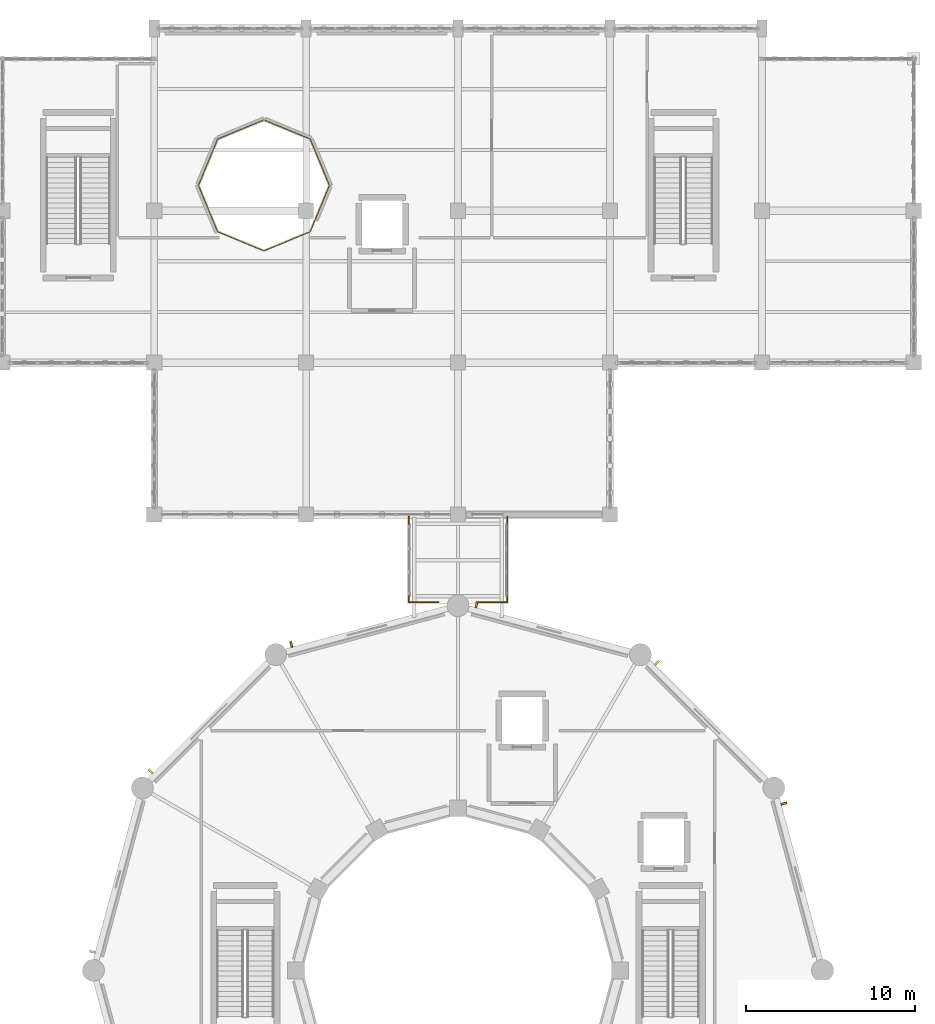
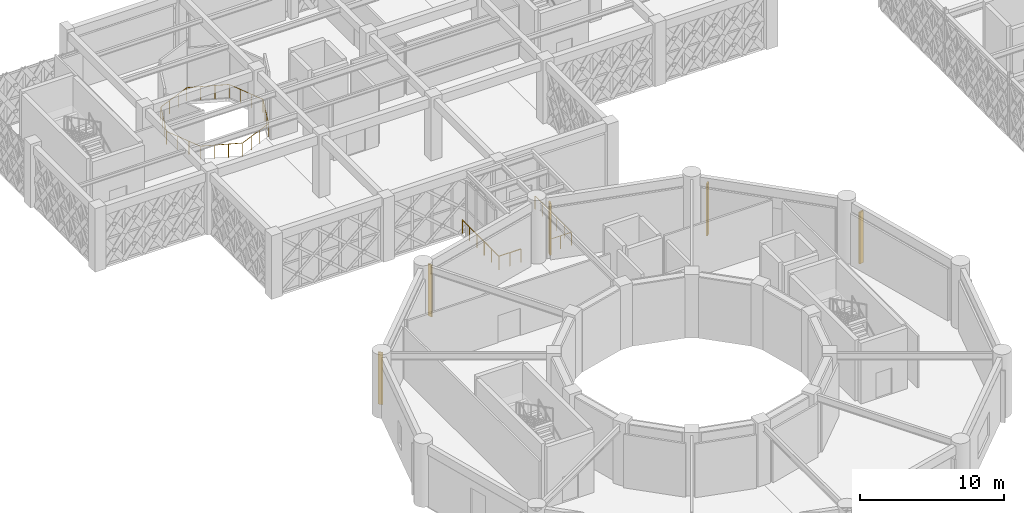
# One storey, part 152 of 155: 5 shading devices, 3 railings.
"""IFC4 building model written with IfcOpenShell, lengths in metres."""

from ifc_helpers import new_model, si_unit, direction, frame, origin, origin_2d, place, context, subcontext, project, spatial, rectangle, circle, extrude, material, type_object, element, save


model = new_model("IFC4")

# Units and contexts
model_context = context("Model", 3, precision=1e-05, world=origin(), true_north=direction((0.0, 1.0)))
body_context = subcontext(model_context, "Body", "Model", "MODEL_VIEW")
ifc_project = project(units=[si_unit("LENGTHUNIT", "METRE"), si_unit("AREAUNIT", "SQUARE_METRE"), si_unit("VOLUMEUNIT", "CUBIC_METRE"), si_unit("PLANEANGLEUNIT", "RADIAN"), si_unit("MASSUNIT", "GRAM", prefix="KILO")], contexts=[model_context])

# Site, building, storey
site_placement = place(None, origin())
site = spatial("IfcSite", under=ifc_project, at=site_placement, CompositionType="ELEMENT")
building_placement = place(site_placement, origin())
building = spatial("IfcBuilding", under=site, at=building_placement, Name="Haizhuo Lancet Aquarium", CompositionType="ELEMENT")
storey_placement = place(building_placement, frame((0.0, 0.0, 10.800048828125)))
storey = spatial("IfcBuildingStorey", under=building, at=storey_placement, Name="L02", CompositionType="ELEMENT", Elevation=10.800048828125)

# Railings
ifc_material_1 = material(Name="Steel S355", Category="steel")
railing_type = type_object("IfcRailingType", Name="RL-GRD-1150", PredefinedType="GUARDRAIL", material=ifc_material_1)
railing_1_placement = place(storey_placement, frame((-1.14990234375, 21.800048828125, 0.0)))
element("IfcRailing", 1, at=railing_1_placement, inside=storey, type_object=railing_type, Name="Sky-bridge floor edge guardrail SB-03 W", PredefinedType="GUARDRAIL", context=body_context, shape_type="SweptSolid", body=[
    extrude(circle(Radius=0.02392578125, at=origin_2d()), frame((-0.030029296875, 0.0, 1.1259765625), z_axis=(-1.0, 0.0, 0.0), x_axis=(0.0, -1.0, 0.0)), (0.0, 0.0, 1.0), 1.7099609375),
    extrude(circle(Radius=0.02392578125, at=origin_2d()), frame((-1.77001953125, 0.030029296875, 1.1259765625), z_axis=(0.0, 1.0, 0.0), x_axis=(-1.0, 0.0, 0.0)), (0.0, 0.0, 1.0), 5.019775390625),
    extrude(circle(Radius=0.02099609375, at=origin_2d()), origin(), (0.0, 0.0, 1.0), 1.097900390625),
    extrude(circle(Radius=0.02099609375, at=origin_2d()), frame((-0.885009765625, 0.0, 0.0)), (0.0, 0.0, 1.0), 1.097900390625),
    extrude(circle(Radius=0.02099609375, at=origin_2d()), frame((-1.77001953125, 0.0, 0.0)), (0.0, 0.0, 1.0), 1.097900390625),
    extrude(circle(Radius=0.02099609375, at=origin_2d()), frame((-1.77001953125, 1.015869140625, 0.0)), (0.0, 0.0, 1.0), 1.097900390625),
    extrude(circle(Radius=0.02099609375, at=origin_2d()), frame((-1.77001953125, 2.031982421875, 0.0)), (0.0, 0.0, 1.0), 1.097900390625),
    extrude(circle(Radius=0.02099609375, at=origin_2d()), frame((-1.77001953125, 3.0478515625, 0.0)), (0.0, 0.0, 1.0), 1.097900390625),
    extrude(circle(Radius=0.02099609375, at=origin_2d()), frame((-1.77001953125, 4.06396484375, 0.0)), (0.0, 0.0, 1.0), 1.097900390625),
    extrude(circle(Radius=0.02099609375, at=origin_2d()), frame((-1.77001953125, 5.079833984375, 0.0)), (0.0, 0.0, 1.0), 1.097900390625),
])
railing_2_placement = place(storey_placement, frame((1.14990234375, 21.800048828125, 0.0)))
element("IfcRailing", 2, at=railing_2_placement, inside=storey, type_object=railing_type, Name="Sky-bridge floor edge guardrail SB-03 E", PredefinedType="GUARDRAIL", context=body_context, shape_type="SweptSolid", body=[
    extrude(circle(Radius=0.02392578125, at=origin_2d()), frame((0.030029296875, 0.0, 1.1259765625), z_axis=(1.0, 0.0, 0.0), x_axis=(0.0, 1.0, 0.0)), (0.0, 0.0, 1.0), 1.7099609375),
    extrude(circle(Radius=0.02392578125, at=origin_2d()), frame((1.77001953125, 0.030029296875, 1.1259765625), z_axis=(0.0, 1.0, 0.0), x_axis=(-1.0, 0.0, 0.0)), (0.0, 0.0, 1.0), 5.019775390625),
    extrude(circle(Radius=0.02099609375, at=origin_2d()), origin(), (0.0, 0.0, 1.0), 1.097900390625),
    extrude(circle(Radius=0.02099609375, at=origin_2d()), frame((0.885009765625, 0.0, 0.0)), (0.0, 0.0, 1.0), 1.097900390625),
    extrude(circle(Radius=0.02099609375, at=origin_2d()), frame((1.77001953125, 0.0, 0.0)), (0.0, 0.0, 1.0), 1.097900390625),
    extrude(circle(Radius=0.02099609375, at=origin_2d()), frame((1.77001953125, 1.015869140625, 0.0)), (0.0, 0.0, 1.0), 1.097900390625),
    extrude(circle(Radius=0.02099609375, at=origin_2d()), frame((1.77001953125, 2.031982421875, 0.0)), (0.0, 0.0, 1.0), 1.097900390625),
    extrude(circle(Radius=0.02099609375, at=origin_2d()), frame((1.77001953125, 3.0478515625, 0.0)), (0.0, 0.0, 1.0), 1.097900390625),
    extrude(circle(Radius=0.02099609375, at=origin_2d()), frame((1.77001953125, 4.06396484375, 0.0)), (0.0, 0.0, 1.0), 1.097900390625),
    extrude(circle(Radius=0.02099609375, at=origin_2d()), frame((1.77001953125, 5.079833984375, 0.0)), (0.0, 0.0, 1.0), 1.097900390625),
])
railing_3_placement = place(storey_placement, frame((-7.6201171875, 46.5, 0.0)))
element("IfcRailing", 3, at=railing_3_placement, inside=storey, type_object=railing_type, Name="L02 atrium opening guardrail V5KLP", PredefinedType="GUARDRAIL", context=body_context, shape_type="SweptSolid", body=[
    extrude(circle(Radius=0.02392578125, at=origin_2d()), frame((-0.011474609375, 0.02783203125, 1.1259765625), z_axis=(-0.382518791907, 0.923947711636, 0.0), x_axis=(-0.923947711636, -0.382518791907, 0.0)), (0.0, 0.0, 1.0), 2.90966796875),
    extrude(circle(Radius=0.02392578125, at=origin_2d()), frame((-1.163818359375, 2.75537109375, 1.1259765625), z_axis=(-0.923947711636, 0.382518791907, 0.0), x_axis=(-0.382518791907, -0.923947711636, 0.0)), (0.0, 0.0, 1.0), 2.90966796875),
    extrude(circle(Radius=0.02392578125, at=origin_2d()), frame((-3.90771484375, 3.868408203125, 1.1259765625), z_axis=(-0.923947711636, -0.382518791907, 0.0), x_axis=(0.382518791907, -0.923947711636, 0.0)), (0.0, 0.0, 1.0), 2.90966796875),
    extrude(circle(Radius=0.02392578125, at=origin_2d()), frame((-6.63525390625, 2.716064453125, 1.1259765625), z_axis=(-0.382518791907, -0.923947711636, 0.0), x_axis=(0.923947711636, -0.382518791907, 0.0)), (0.0, 0.0, 1.0), 2.90966796875),
    extrude(circle(Radius=0.02392578125, at=origin_2d()), frame((-7.748291015625, -0.02783203125, 1.1259765625), z_axis=(0.382518791907, -0.923947711636, 0.0), x_axis=(0.923947711636, 0.382518791907, 0.0)), (0.0, 0.0, 1.0), 2.90966796875),
    extrude(circle(Radius=0.02392578125, at=origin_2d()), frame((-6.595947265625, -2.75537109375, 1.1259765625), z_axis=(0.923947711636, -0.382518791907, 0.0), x_axis=(0.382518791907, 0.923947711636, 0.0)), (0.0, 0.0, 1.0), 2.90966796875),
    extrude(circle(Radius=0.02392578125, at=origin_2d()), frame((-3.85205078125, -3.868408203125, 1.1259765625), z_axis=(0.923947711636, 0.382518791907, 0.0), x_axis=(-0.382518791907, 0.923947711636, 0.0)), (0.0, 0.0, 1.0), 2.90966796875),
    extrude(circle(Radius=0.02392578125, at=origin_2d()), frame((-1.12451171875, -2.716064453125, 1.1259765625), z_axis=(0.382518791907, 0.923947711636, 0.0), x_axis=(-0.923947711636, 0.382518791907, 0.0)), (0.0, 0.0, 1.0), 2.90966796875),
    extrude(circle(Radius=0.02099609375, at=origin_2d()), origin(), (0.0, 0.0, 1.0), 1.097900390625),
    extrude(circle(Radius=0.02099609375, at=origin_2d()), frame((-0.378662109375, 0.91455078125, 0.0)), (0.0, 0.0, 1.0), 1.097900390625),
    extrude(circle(Radius=0.02099609375, at=origin_2d()), frame((-0.75732421875, 1.829345703125, 0.0)), (0.0, 0.0, 1.0), 1.097900390625),
    extrude(circle(Radius=0.02099609375, at=origin_2d()), frame((-1.135986328125, 2.743896484375, 0.0)), (0.0, 0.0, 1.0), 1.097900390625),
    extrude(circle(Radius=0.02099609375, at=origin_2d()), frame((-2.050537109375, 3.12255859375, 0.0)), (0.0, 0.0, 1.0), 1.097900390625),
    extrude(circle(Radius=0.02099609375, at=origin_2d()), frame((-2.96533203125, 3.501220703125, 0.0)), (0.0, 0.0, 1.0), 1.097900390625),
    extrude(circle(Radius=0.02099609375, at=origin_2d()), frame((-3.8798828125, 3.8798828125, 0.0)), (0.0, 0.0, 1.0), 1.097900390625),
    extrude(circle(Radius=0.02099609375, at=origin_2d()), frame((-4.79443359375, 3.501220703125, 0.0)), (0.0, 0.0, 1.0), 1.097900390625),
    extrude(circle(Radius=0.02099609375, at=origin_2d()), frame((-5.709228515625, 3.12255859375, 0.0)), (0.0, 0.0, 1.0), 1.097900390625),
    extrude(circle(Radius=0.02099609375, at=origin_2d()), frame((-6.623779296875, 2.743896484375, 0.0)), (0.0, 0.0, 1.0), 1.097900390625),
    extrude(circle(Radius=0.02099609375, at=origin_2d()), frame((-7.00244140625, 1.829345703125, 0.0)), (0.0, 0.0, 1.0), 1.097900390625),
    extrude(circle(Radius=0.02099609375, at=origin_2d()), frame((-7.381103515625, 0.91455078125, 0.0)), (0.0, 0.0, 1.0), 1.097900390625),
    extrude(circle(Radius=0.02099609375, at=origin_2d()), frame((-7.759765625, 0.0, 0.0)), (0.0, 0.0, 1.0), 1.097900390625),
    extrude(circle(Radius=0.02099609375, at=origin_2d()), frame((-7.381103515625, -0.91455078125, 0.0)), (0.0, 0.0, 1.0), 1.097900390625),
    extrude(circle(Radius=0.02099609375, at=origin_2d()), frame((-7.00244140625, -1.829345703125, 0.0)), (0.0, 0.0, 1.0), 1.097900390625),
    extrude(circle(Radius=0.02099609375, at=origin_2d()), frame((-6.623779296875, -2.743896484375, 0.0)), (0.0, 0.0, 1.0), 1.097900390625),
    extrude(circle(Radius=0.02099609375, at=origin_2d()), frame((-5.709228515625, -3.12255859375, 0.0)), (0.0, 0.0, 1.0), 1.097900390625),
    extrude(circle(Radius=0.02099609375, at=origin_2d()), frame((-4.79443359375, -3.501220703125, 0.0)), (0.0, 0.0, 1.0), 1.097900390625),
    extrude(circle(Radius=0.02099609375, at=origin_2d()), frame((-3.8798828125, -3.8798828125, 0.0)), (0.0, 0.0, 1.0), 1.097900390625),
    extrude(circle(Radius=0.02099609375, at=origin_2d()), frame((-2.96533203125, -3.501220703125, 0.0)), (0.0, 0.0, 1.0), 1.097900390625),
    extrude(circle(Radius=0.02099609375, at=origin_2d()), frame((-2.050537109375, -3.12255859375, 0.0)), (0.0, 0.0, 1.0), 1.097900390625),
    extrude(circle(Radius=0.02099609375, at=origin_2d()), frame((-1.135986328125, -2.743896484375, 0.0)), (0.0, 0.0, 1.0), 1.097900390625),
    extrude(circle(Radius=0.02099609375, at=origin_2d()), frame((-0.75732421875, -1.829345703125, 0.0)), (0.0, 0.0, 1.0), 1.097900390625),
    extrude(circle(Radius=0.02099609375, at=origin_2d()), frame((-0.378662109375, -0.91455078125, 0.0)), (0.0, 0.0, 1.0), 1.097900390625),
])

# Shading devices
ifc_material_2 = material(Name="Shandong Grey Limestone Ashlar", Category="masonry")
shading_device_type = type_object("IfcShadingDeviceType", Name="SHD-LAN-FIN", PredefinedType="JALOUSIE", material=ifc_material_2)
for number, where, z_axis, x_axis, name in (
    (4, (19.31005859375, 9.8798828125, 0.00048828125), (0.0, 0.0, 1.0), (0.25879394043, -0.965932552716, 0.0), "L02 Gothic lancet stone solar fin 13"),
    (5, (11.781982421875, 18.2109375, 0.00048828125), (0.0, 0.0, 1.0), (0.707106781187, -0.707106781187, 0.0), "L02 Gothic lancet stone solar fin 14"),
    (6, (1.097900390625, 21.6630859375, 0.00048828125), (0.0, 0.0, 1.0), (0.965932552716, -0.25879394043, 0.0), "L02 Gothic lancet stone solar fin 15"),
    (7, (-9.8798828125, 19.31005859375, 0.00048828125), (0.0, 0.0, 1.0), (0.965932552716, 0.25879394043, 0.0), "L02 Gothic lancet stone solar fin 16"),
    (8, (-18.2109375, 11.781982421875, 0.00048828125), (0.0, 0.0, 1.0), (0.707106781187, 0.707106781187, 0.0), "L02 Gothic lancet stone solar fin 17"),
):
    element("IfcShadingDevice", number, at=place(storey_placement, frame(where, z_axis=z_axis, x_axis=x_axis)), inside=storey, type_object=shading_device_type, material=ifc_material_2, Name=name, PredefinedType="JALOUSIE", context=body_context, shape_type="SweptSolid", body=[
        extrude(rectangle(XDim=0.1201171875, YDim=0.35009765625, at=origin_2d()), origin(), (0.0, 0.0, 1.0), 4.39501953125),
    ])

save(model, "model.ifc")
